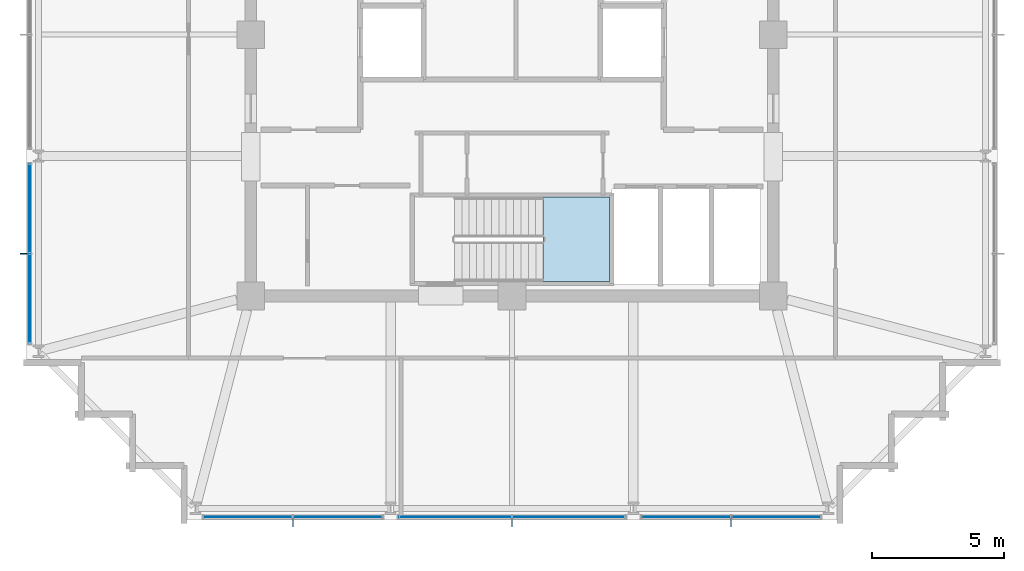
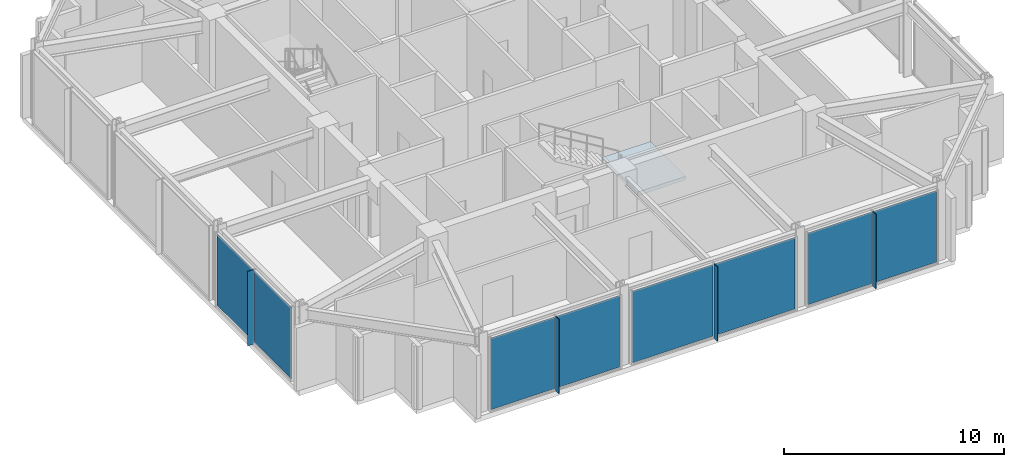
# One storey, part 18 of 26: 12 plates, 1 slab, 5 elements without a shape of their own.
"""IFC4 building model written with IfcOpenShell, lengths in metres."""

from ifc_helpers import new_model, si_unit, direction, frame, origin, origin_2d, place, context, subcontext, project, spatial, polyline, rectangle, outline, extrude, material, layer, layer_set, type_object, element, aggregate, save


model = new_model("IFC4")

# Units and contexts
model_context = context("Model", 3, precision=1e-05, world=origin(), true_north=direction((0.0, 1.0)))
body_context = subcontext(model_context, "Body", "Model", "MODEL_VIEW")
ifc_project = project(units=[si_unit("LENGTHUNIT", "METRE"), si_unit("AREAUNIT", "SQUARE_METRE"), si_unit("VOLUMEUNIT", "CUBIC_METRE"), si_unit("PLANEANGLEUNIT", "RADIAN"), si_unit("MASSUNIT", "GRAM", prefix="KILO")], contexts=[model_context])

# Site, building, storey
site_placement = place(None, origin())
site = spatial("IfcSite", under=ifc_project, at=site_placement, CompositionType="ELEMENT")
building_placement = place(site_placement, origin())
building = spatial("IfcBuilding", under=site, at=building_placement, Name="Kolvaren Belvedere", CompositionType="ELEMENT")
storey_placement = place(building_placement, frame((0.0, 0.0, 258.39990234375)))
storey = spatial("IfcBuildingStorey", under=building, at=storey_placement, Name="L75", CompositionType="ELEMENT", Elevation=258.39990234375)

# Curtain wall, plates
ifc_material_1 = material(Name="Anodised pale-metal aluminium AA 6063-T6", Category="aluminium")
curtain_wall_type = type_object("IfcCurtainWallType", Name="CW-CRN-OBS", PredefinedType="NOTDEFINED", material=ifc_material_1)
curtain_wall_1_placement = place(storey_placement, origin())
curtain_wall_1 = element("IfcCurtainWall", 1, at=curtain_wall_1_placement, inside=storey, type_object=curtain_wall_type, Name="L75 Unitised Curtain Wall FCW-L75-S-B1", PredefinedType="NOTDEFINED")
ifc_material_2 = material(Name="Low-iron laminated vision glass", Category="glass")
ifc_layer_1 = layer(ifc_material_2, 0.031982421875)
ifc_layer_set_1 = layer_set([ifc_layer_1], Name="Low-iron laminated vision glass")
plate_type_1 = type_object("IfcPlateType", Name="CW-PNL-VIS32", PredefinedType="CURTAIN_PANEL", material=ifc_layer_set_1)
plate_1_placement = place(storey_placement, frame((10.0048828125, -18.280029296875, 0.080078125), z_axis=(0.0, 0.0, 1.0), x_axis=(-1.0, 0.0, 0.0)))
plate_1 = element("IfcPlate", 2, at=plate_1_placement, type_object=plate_type_1, Name="FCW-L75-S-B1 Vision Glazing Panel 1", PredefinedType="CURTAIN_PANEL", context=body_context, shape_type="SweptSolid", body=[
    extrude(rectangle(XDim=3.330078125, YDim=0.031982421875, at=origin_2d()), origin(), (0.0, 0.0, 1.0), 3.9599609375),
])
plate_2_placement = place(storey_placement, frame((6.594970703125, -18.280029296875, 0.080078125), z_axis=(0.0, 0.0, 1.0), x_axis=(-1.0, 0.0, 0.0)))
plate_2 = element("IfcPlate", 3, at=plate_2_placement, type_object=plate_type_1, Name="FCW-L75-S-B1 Vision Glazing Panel 2", PredefinedType="CURTAIN_PANEL", context=body_context, shape_type="SweptSolid", body=[
    extrude(rectangle(XDim=3.330078125, YDim=0.031982421875, at=origin_2d()), origin(), (0.0, 0.0, 1.0), 3.9599609375),
])
aggregate(curtain_wall_1, [plate_1, plate_2])

curtain_wall_2_placement = place(storey_placement, origin())
curtain_wall_2 = element("IfcCurtainWall", 4, at=curtain_wall_2_placement, inside=storey, type_object=curtain_wall_type, Name="L75 Unitised Curtain Wall FCW-L75-S-B2", PredefinedType="NOTDEFINED")
plate_3_placement = place(storey_placement, frame((2.155029296875, -18.280029296875, 0.080078125), z_axis=(0.0, 0.0, 1.0), x_axis=(-1.0, 0.0, 0.0)))
plate_3 = element("IfcPlate", 5, at=plate_3_placement, type_object=plate_type_1, Name="FCW-L75-S-B2 Vision Glazing Panel 1", PredefinedType="CURTAIN_PANEL", context=body_context, shape_type="SweptSolid", body=[
    extrude(rectangle(XDim=4.22998046875, YDim=0.031982421875, at=origin_2d()), origin(), (0.0, 0.0, 1.0), 3.9599609375),
])
plate_4_placement = place(storey_placement, frame((-2.155029296875, -18.280029296875, 0.080078125), z_axis=(0.0, 0.0, 1.0), x_axis=(-1.0, 0.0, 0.0)))
plate_4 = element("IfcPlate", 6, at=plate_4_placement, type_object=plate_type_1, Name="FCW-L75-S-B2 Vision Glazing Panel 2", PredefinedType="CURTAIN_PANEL", context=body_context, shape_type="SweptSolid", body=[
    extrude(rectangle(XDim=4.22998046875, YDim=0.031982421875, at=origin_2d()), origin(), (0.0, 0.0, 1.0), 3.9599609375),
])
aggregate(curtain_wall_2, [plate_3, plate_4])

curtain_wall_3_placement = place(storey_placement, origin())
curtain_wall_3 = element("IfcCurtainWall", 7, at=curtain_wall_3_placement, inside=storey, type_object=curtain_wall_type, Name="L75 Unitised Curtain Wall FCW-L75-S-B3", PredefinedType="NOTDEFINED")
plate_5_placement = place(storey_placement, frame((-6.594970703125, -18.280029296875, 0.080078125), z_axis=(0.0, 0.0, 1.0), x_axis=(-1.0, 0.0, 0.0)))
plate_5 = element("IfcPlate", 8, at=plate_5_placement, type_object=plate_type_1, Name="FCW-L75-S-B3 Vision Glazing Panel 1", PredefinedType="CURTAIN_PANEL", context=body_context, shape_type="SweptSolid", body=[
    extrude(rectangle(XDim=3.330078125, YDim=0.031982421875, at=origin_2d()), origin(), (0.0, 0.0, 1.0), 3.9599609375),
])
plate_6_placement = place(storey_placement, frame((-10.0048828125, -18.280029296875, 0.080078125), z_axis=(0.0, 0.0, 1.0), x_axis=(-1.0, 0.0, 0.0)))
plate_6 = element("IfcPlate", 9, at=plate_6_placement, type_object=plate_type_1, Name="FCW-L75-S-B3 Vision Glazing Panel 2", PredefinedType="CURTAIN_PANEL", context=body_context, shape_type="SweptSolid", body=[
    extrude(rectangle(XDim=3.330078125, YDim=0.031982421875, at=origin_2d()), origin(), (0.0, 0.0, 1.0), 3.9599609375),
])
aggregate(curtain_wall_3, [plate_5, plate_6])

curtain_wall_4_placement = place(storey_placement, origin())
curtain_wall_4 = element("IfcCurtainWall", 10, at=curtain_wall_4_placement, inside=storey, type_object=curtain_wall_type, Name="L75 Unitised Curtain Wall FCW-L75-W-B1", PredefinedType="NOTDEFINED")
plate_7_placement = place(storey_placement, frame((-18.280029296875, -10.0048828125, 0.080078125), z_axis=(0.0, 0.0, 1.0), x_axis=(0.0, 1.0, 0.0)))
plate_7 = element("IfcPlate", 11, at=plate_7_placement, type_object=plate_type_1, Name="FCW-L75-W-B1 Vision Glazing Panel 1", PredefinedType="CURTAIN_PANEL", context=body_context, shape_type="SweptSolid", body=[
    extrude(rectangle(XDim=3.330078125, YDim=0.031982421875, at=origin_2d()), origin(), (0.0, 0.0, 1.0), 3.9599609375),
])
plate_8_placement = place(storey_placement, frame((-18.280029296875, -6.594970703125, 0.080078125), z_axis=(0.0, 0.0, 1.0), x_axis=(0.0, 1.0, 0.0)))
plate_8 = element("IfcPlate", 12, at=plate_8_placement, type_object=plate_type_1, Name="FCW-L75-W-B1 Vision Glazing Panel 2", PredefinedType="CURTAIN_PANEL", context=body_context, shape_type="SweptSolid", body=[
    extrude(rectangle(XDim=3.330078125, YDim=0.031982421875, at=origin_2d()), origin(), (0.0, 0.0, 1.0), 3.9599609375),
])
aggregate(curtain_wall_4, [plate_7, plate_8])

# Plates
ifc_material_3 = material(Name="Anodised pale-metal aluminium AA 6063-T6", Category="aluminium")
ifc_layer_2 = layer(ifc_material_3, 0.030029296875)
ifc_layer_set_2 = layer_set([ifc_layer_2], Name="Anodised pale-metal aluminium AA 6063-T6")
plate_type_2 = type_object("IfcPlateType", Name="FIN-VERT-300", PredefinedType="USERDEFINED", material=ifc_layer_set_2)
for number, where, z_axis, x_axis, name in (
    (13, (8.300048828125, -18.4951171875, 0.0), (0.0, 0.0, 1.0), (0.0, 1.0, 0.0), "L75 Pale-Metal Vertical Shading Fin FCW-L75-S-B1-1"),
    (14, (0.0, -18.4951171875, 0.0), (0.0, 0.0, 1.0), (0.0, 1.0, 0.0), "L75 Pale-Metal Vertical Shading Fin FCW-L75-S-B2-1"),
    (15, (-8.300048828125, -18.4951171875, 0.0), (0.0, 0.0, 1.0), (0.0, 1.0, 0.0), "L75 Pale-Metal Vertical Shading Fin FCW-L75-S-B3-1"),
    (16, (-18.4951171875, -8.300048828125, 0.0), (0.0, 0.0, 1.0), (1.0, 0.0, 0.0), "L75 Pale-Metal Vertical Shading Fin FCW-L75-W-B1-1"),
):
    element("IfcPlate", number, at=place(storey_placement, frame(where, z_axis=z_axis, x_axis=x_axis)), inside=storey, type_object=plate_type_2, Name=name, ObjectType="VERTICAL FIN", PredefinedType="USERDEFINED", context=body_context, shape_type="SweptSolid", body=[
        extrude(rectangle(XDim=0.300048828125, YDim=0.030029296875, at=origin_2d()), origin(), (0.0, 0.0, 1.0), 4.1201171875),
    ])

# Stair, slab
ifc_material_4 = material(Name="Concrete C50/60", Category="concrete")
stair_type = type_object("IfcStairType", Name="ST-CORE-1520", PredefinedType="HALF_TURN_STAIR", material=ifc_material_4)
stair_placement = place(storey_placement, origin())
stair = element("IfcStair", 17, at=stair_placement, inside=storey, type_object=stair_type, Name="L75 Protected Exit Stair ST-3", PredefinedType="HALF_TURN_STAIR")
ifc_material_5 = material(Name="Concrete C50/60", Category="concrete")
ifc_layer_3 = layer(ifc_material_5, 0.260009765625)
ifc_layer_set_3 = layer_set([ifc_layer_3], Name="Concrete C50/60")
slab_type = type_object("IfcSlabType", Name="SL-LAND-260", PredefinedType="LANDING", material=ifc_layer_set_3)
slab_placement = place(storey_placement, frame((0.0, 0.0, 2.0)))
slab = element("IfcSlab", 18, at=slab_placement, type_object=slab_type, Name="ST-3 landing 1", PredefinedType="LANDING", context=body_context, shape_type="SweptSolid", body=[
    extrude(outline(polyline([(1.179931640625, -9.35009765625), (3.699951171875, -9.35009765625), (3.699951171875, -6.159912109375), (1.179931640625, -6.159912109375), (1.179931640625, -9.35009765625)])), origin(), (0.0, 0.0, 1.0), 0.2001953125),
])
aggregate(stair, [slab])

save(model, "model.ifc")
